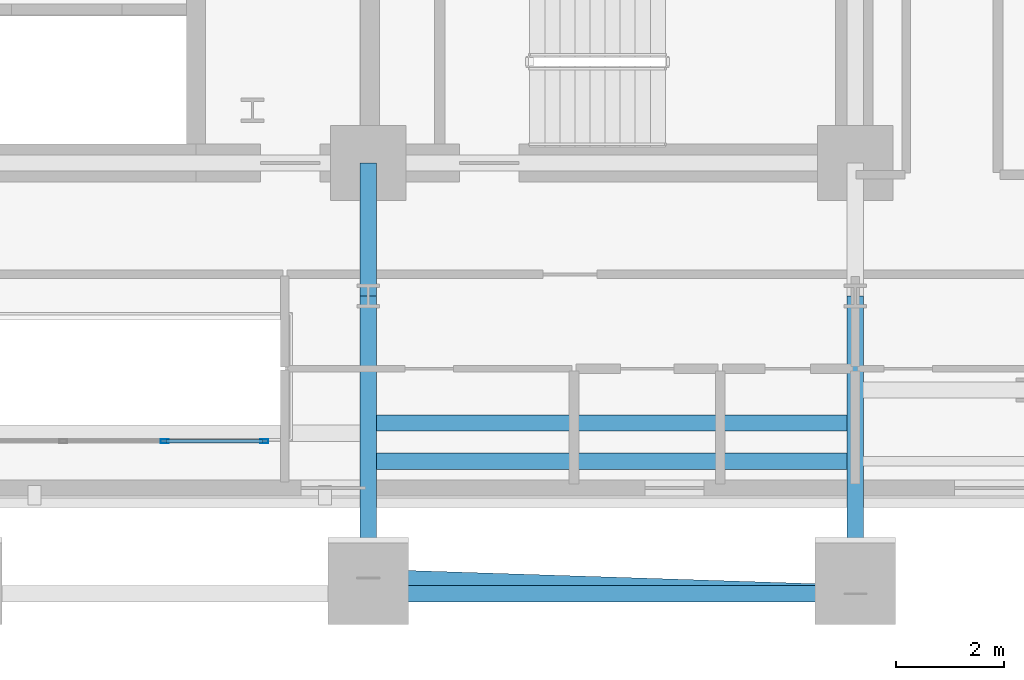
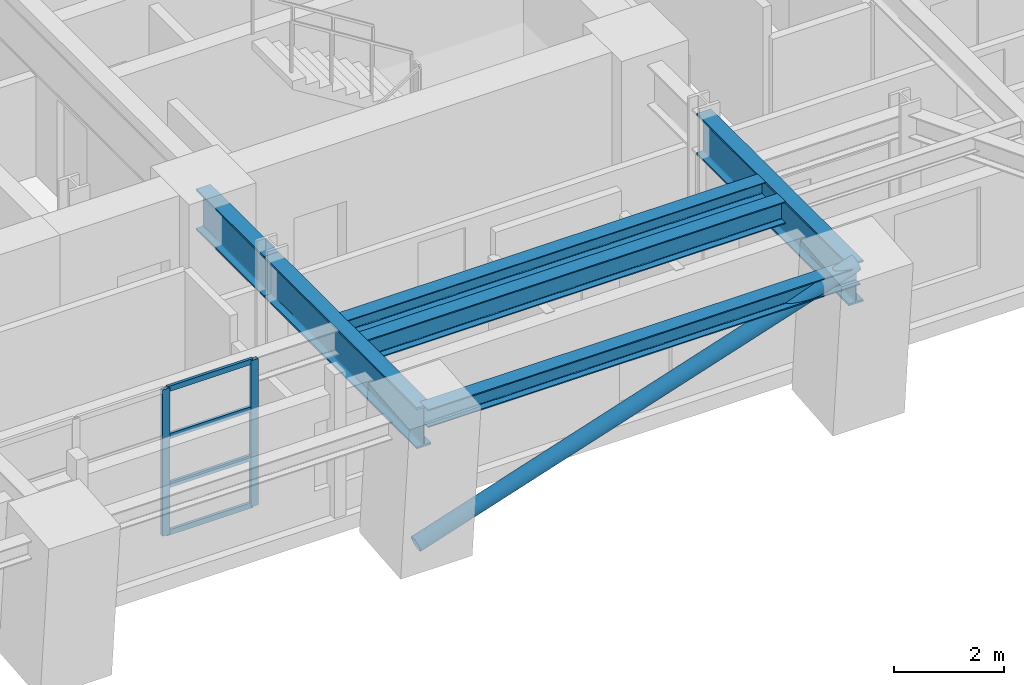
# One storey, part 4 of 15: 7 members, 6 beams, 1 element without a shape of its own.
"""IFC4 building model written with IfcOpenShell, lengths in metres."""

from ifc_helpers import new_model, si_unit, direction, frame, origin, origin_2d, place, context, subcontext, project, spatial, hollow_rectangle, hollow_circle, i_section, extrude, material, layer, layer_set, material_profile, profile_set, type_object, element, aggregate, save


model = new_model("IFC4")

# Units and contexts
model_context = context("Model", 3, precision=1e-05, world=origin(), true_north=direction((0.0, 1.0)))
body_context = subcontext(model_context, "Body", "Model", "MODEL_VIEW")
ifc_project = project(units=[si_unit("LENGTHUNIT", "METRE"), si_unit("AREAUNIT", "SQUARE_METRE"), si_unit("VOLUMEUNIT", "CUBIC_METRE"), si_unit("PLANEANGLEUNIT", "RADIAN"), si_unit("MASSUNIT", "GRAM", prefix="KILO")], contexts=[model_context])

# Site, building, storey
site_placement = place(None, origin())
site = spatial("IfcSite", under=ifc_project, at=site_placement, CompositionType="ELEMENT")
building_placement = place(site_placement, origin())
building = spatial("IfcBuilding", under=site, at=building_placement, Name="Zarnavel Station Tower", CompositionType="ELEMENT")
storey_placement = place(building_placement, frame((0.0, 0.0, 67.5)))
storey = spatial("IfcBuildingStorey", under=building, at=storey_placement, Name="L18", CompositionType="ELEMENT", Elevation=67.5)

# Curtain wall, members
ifc_material_1 = material(Name="Aluminium Dark Anodised and Solar-Control Glass", Category="aluminium")
ifc_layer = layer(ifc_material_1, 0.179931640625)
ifc_layer_set = layer_set([ifc_layer], Name="CWS2")
curtain_wall_type = type_object("IfcCurtainWallType", Name="CWS2", PredefinedType="NOTDEFINED", material=ifc_layer_set)
curtain_wall_placement = place(storey_placement, origin())
curtain_wall = element("IfcCurtainWall", 1, at=curtain_wall_placement, inside=storey, type_object=curtain_wall_type, Name="L18 Curtain Wall CWS2-L18-AS", PredefinedType="NOTDEFINED")
ifc_material_2 = material(Name="Steel S355J2 (Black Fluoropolymer Coated)", Category="steel")
ifc_material_profile_1 = material_profile(ifc_material_2, hollow_rectangle(XDim=0.074951171875, YDim=0.14990234375, WallThickness=0.00634765625, at=origin_2d()), Name="RHS150x75x6.3")
ifc_profile_set_1 = profile_set([ifc_material_profile_1], Name="Steel S355J2 (Black Fluoropolymer Coated)")
member_type_1 = type_object("IfcMemberType", Name="CWS2_MUL", PredefinedType="MULLION", material=ifc_profile_set_1)
member_1_placement = place(storey_placement, frame((32.566650390625, 22.64990234375, 0.0), z_axis=(0.0, 0.0, 1.0), x_axis=(0.0, 1.0, 0.0)))
member_1 = element("IfcMember", 2, at=member_1_placement, type_object=member_type_1, Name="CW2 mullion 6", PredefinedType="MULLION", context=body_context, shape_type="SweptSolid", body=[
    extrude(hollow_rectangle(XDim=0.074951171875, YDim=0.14990234375, WallThickness=0.00634765625, at=origin_2d()), origin(), (0.0, 0.0, 1.0), 3.239990234375),
])
member_2_placement = place(storey_placement, frame((34.419921875, 22.64990234375, 0.0), z_axis=(0.0, 0.0, 1.0), x_axis=(0.0, 1.0, 0.0)))
member_2 = element("IfcMember", 3, at=member_2_placement, type_object=member_type_1, Name="CW2 mullion 7", PredefinedType="MULLION", context=body_context, shape_type="SweptSolid", body=[
    extrude(hollow_rectangle(XDim=0.074951171875, YDim=0.14990234375, WallThickness=0.00634765625, at=origin_2d()), origin(), (0.0, 0.0, 1.0), 3.239990234375),
])
ifc_material_3 = material(Name="Steel S355J2 (Black Fluoropolymer Coated)", Category="steel")
ifc_material_profile_2 = material_profile(ifc_material_3, hollow_rectangle(XDim=0.06005859375, YDim=0.1201171875, WallThickness=0.0048828125, at=origin_2d()), Name="RHS120x60x5")
ifc_profile_set_2 = profile_set([ifc_material_profile_2], Name="Steel S355J2 (Black Fluoropolymer Coated)")
member_type_2 = type_object("IfcMemberType", Name="CWS2_TRN", PredefinedType="USERDEFINED", material=ifc_profile_set_2)
member_3_placement = place(storey_placement, frame((32.5966796875, 22.64990234375, 0.030029296875), z_axis=(1.0, 0.0, 0.0), x_axis=(0.0, 1.0, 0.0)))
member_3 = element("IfcMember", 4, at=member_3_placement, type_object=member_type_2, Name="CW2 transom 6.1", ObjectType="TRANSOM", PredefinedType="USERDEFINED", context=body_context, shape_type="SweptSolid", body=[
    extrude(hollow_rectangle(XDim=0.06005859375, YDim=0.1201171875, WallThickness=0.0048828125, at=origin_2d()), origin(), (0.0, 0.0, 1.0), 1.793212890625),
])
member_4_placement = place(storey_placement, frame((32.5966796875, 22.64990234375, 1.080078125), z_axis=(1.0, 0.0, 0.0), x_axis=(0.0, 1.0, 0.0)))
member_4 = element("IfcMember", 5, at=member_4_placement, type_object=member_type_2, Name="CW2 transom 6.2", ObjectType="TRANSOM", PredefinedType="USERDEFINED", context=body_context, shape_type="SweptSolid", body=[
    extrude(hollow_rectangle(XDim=0.06005859375, YDim=0.1201171875, WallThickness=0.0048828125, at=origin_2d()), origin(), (0.0, 0.0, 1.0), 1.793212890625),
])
member_5_placement = place(storey_placement, frame((32.5966796875, 22.64990234375, 2.159912109375), z_axis=(1.0, 0.0, 0.0), x_axis=(0.0, 1.0, 0.0)))
member_5 = element("IfcMember", 6, at=member_5_placement, type_object=member_type_2, Name="CW2 transom 6.3", ObjectType="TRANSOM", PredefinedType="USERDEFINED", context=body_context, shape_type="SweptSolid", body=[
    extrude(hollow_rectangle(XDim=0.06005859375, YDim=0.1201171875, WallThickness=0.0048828125, at=origin_2d()), origin(), (0.0, 0.0, 1.0), 1.793212890625),
])
member_6_placement = place(storey_placement, frame((32.5966796875, 22.64990234375, 3.2099609375), z_axis=(1.0, 0.0, 0.0), x_axis=(0.0, 1.0, 0.0)))
member_6 = element("IfcMember", 7, at=member_6_placement, type_object=member_type_2, Name="CW2 transom 6.4", ObjectType="TRANSOM", PredefinedType="USERDEFINED", context=body_context, shape_type="SweptSolid", body=[
    extrude(hollow_rectangle(XDim=0.06005859375, YDim=0.1201171875, WallThickness=0.0048828125, at=origin_2d()), origin(), (0.0, 0.0, 1.0), 1.793212890625),
])
aggregate(curtain_wall, [member_1, member_2, member_3, member_4, member_5, member_6])

# Member
ifc_material_4 = material(Name="Steel S355J2", Category="steel")
ifc_material_profile_3 = material_profile(ifc_material_4, hollow_circle(Radius=0.161865234375, WallThickness=0.012451171875, at=origin_2d()), Name="CHS323.9x12.5")
ifc_profile_set_3 = profile_set([ifc_material_profile_3], Name="Steel S355J2")
member_type_3 = type_object("IfcMemberType", Name="DB_EXT_CHS324", PredefinedType="BRACE", material=ifc_profile_set_3)
member_7_placement = place(storey_placement, frame((36.35009765625, 20.111083984375, 0.0), z_axis=(0.94104157458, -0.030540439576, 0.336909537505), x_axis=(0.032436790978, 0.999473788846, 0.0)))
element("IfcMember", 8, at=member_7_placement, inside=storey, type_object=member_type_3, Name="L18 Persian Exterior Diagonal Frame Brace 2", PredefinedType="BRACE", context=body_context, shape_type="SweptSolid", body=[
    extrude(hollow_circle(Radius=0.161865234375, WallThickness=0.012451171875, at=origin_2d()), origin(), (0.0, 0.0, 1.0), 9.61669921875),
])

# Beams
ifc_material_5 = material(Name="Steel S355J2", Category="steel")
ifc_material_profile_4 = material_profile(ifc_material_5, i_section(OverallWidth=0.300048828125, OverallDepth=0.39990234375, WebThickness=0.013427734375, FlangeThickness=0.02392578125, FilletRadius=0.027099609375, at=origin_2d()), Name="HEB400")
ifc_profile_set_4 = profile_set([ifc_material_profile_4], Name="Steel S355J2")
beam_type_1 = type_object("IfcBeamType", Name="EB_HEB400", PredefinedType="SPANDREL", material=ifc_profile_set_4)
beam_1_placement = place(storey_placement, frame((36.35009765625, 19.8173828125, 3.0400390625), z_axis=(1.0, 0.0, 0.0), x_axis=(0.0, 1.0, 0.0)))
element("IfcBeam", 9, at=beam_1_placement, inside=storey, type_object=beam_type_1, Name="L18 South Raked Spandrel 4", PredefinedType="SPANDREL", context=body_context, shape_type="SweptSolid", body=[
    extrude(i_section(OverallWidth=0.300048828125, OverallDepth=0.39990234375, WebThickness=0.013427734375, FlangeThickness=0.02392578125, FilletRadius=0.027099609375, at=origin_2d()), origin(), (0.0, 0.0, 1.0), 9.0498046875),
])
ifc_material_6 = material(Name="Steel S355J2", Category="steel")
ifc_material_profile_5 = material_profile(ifc_material_6, i_section(OverallWidth=0.300048828125, OverallDepth=0.35009765625, WebThickness=0.010009765625, FlangeThickness=0.017578125, FilletRadius=0.027099609375, at=origin_2d()), Name="HEA360")
ifc_profile_set_5 = profile_set([ifc_material_profile_5], Name="Steel S355J2")
beam_type_2 = type_object("IfcBeamType", Name="FB_HEA360", PredefinedType="BEAM", material=ifc_profile_set_5)
beam_2_placement = place(storey_placement, frame((36.4951171875, 22.9892578125, 3.06494140625), z_axis=(1.0, 0.0, 0.0), x_axis=(0.0, 1.0, 0.0)))
element("IfcBeam", 10, at=beam_2_placement, inside=storey, type_object=beam_type_2, Name="L18 East Bay Beam 2", PredefinedType="BEAM", context=body_context, shape_type="SweptSolid", body=[
    extrude(i_section(OverallWidth=0.300048828125, OverallDepth=0.35009765625, WebThickness=0.010009765625, FlangeThickness=0.017578125, FilletRadius=0.027099609375, at=origin_2d()), origin(), (0.0, 0.0, 1.0), 8.759765625),
])
ifc_material_7 = material(Name="Steel S355J2", Category="steel")
ifc_material_profile_6 = material_profile(ifc_material_7, i_section(OverallWidth=0.300048828125, OverallDepth=0.489990234375, WebThickness=0.011962890625, FlangeThickness=0.02294921875, FilletRadius=0.027099609375, at=origin_2d()), Name="HEA500")
ifc_profile_set_6 = profile_set([ifc_material_profile_6], Name="Steel S355J2")
beam_type_3 = type_object("IfcBeamType", Name="FB_HEA500", PredefinedType="BEAM", material=ifc_profile_set_6)
beam_3_placement = place(storey_placement, frame((36.4951171875, 22.2783203125, 2.9951171875), z_axis=(1.0, 0.0, 0.0), x_axis=(0.0, 1.0, 0.0)))
element("IfcBeam", 11, at=beam_3_placement, inside=storey, type_object=beam_type_3, Name="L18 East Bay Beam 1", PredefinedType="BEAM", context=body_context, shape_type="SweptSolid", body=[
    extrude(i_section(OverallWidth=0.300048828125, OverallDepth=0.489990234375, WebThickness=0.011962890625, FlangeThickness=0.02294921875, FilletRadius=0.027099609375, at=origin_2d()), origin(), (0.0, 0.0, 1.0), 8.759765625),
])
ifc_material_8 = material(Name="Steel S460M", Category="steel")
ifc_material_profile_7 = material_profile(ifc_material_8, i_section(OverallWidth=0.302001953125, OverallDepth=0.909912109375, WebThickness=0.02099609375, FlangeThickness=0.0400390625, FilletRadius=0.030029296875, at=origin_2d()), Name="HEM900")
ifc_profile_set_7 = profile_set([ifc_material_profile_7], Name="Steel S460M")
beam_type_4 = type_object("IfcBeamType", Name="TG_HEM900", PredefinedType="USERDEFINED", material=ifc_profile_set_7)
beam_4_placement = place(storey_placement, frame((36.35009765625, 19.8173828125, 2.784912109375), z_axis=(0.0, 1.0, 0.0), x_axis=(-1.0, 0.0, 0.0)))
element("IfcBeam", 12, at=beam_4_placement, inside=storey, type_object=beam_type_4, Name="L18 South-Zone NS Girder 4", ObjectType="GIRDER", PredefinedType="USERDEFINED", context=body_context, shape_type="SweptSolid", body=[
    extrude(i_section(OverallWidth=0.302001953125, OverallDepth=0.909912109375, WebThickness=0.02099609375, FlangeThickness=0.0400390625, FilletRadius=0.030029296875, at=origin_2d()), origin(), (0.0, 0.0, 1.0), 5.53271484375),
])
beam_5_placement = place(storey_placement, frame((36.35009765625, 25.35009765625, 2.784912109375), z_axis=(0.0, 1.0, 0.0), x_axis=(-1.0, 0.0, 0.0)))
element("IfcBeam", 13, at=beam_5_placement, inside=storey, type_object=beam_type_4, Name="L18 Inner-Zone NS Girder 4", ObjectType="GIRDER", PredefinedType="USERDEFINED", context=body_context, shape_type="SweptSolid", body=[
    extrude(i_section(OverallWidth=0.302001953125, OverallDepth=0.909912109375, WebThickness=0.02099609375, FlangeThickness=0.0400390625, FilletRadius=0.030029296875, at=origin_2d()), origin(), (0.0, 0.0, 1.0), 2.469970703125),
])
beam_6_placement = place(storey_placement, frame((45.39990234375, 19.8173828125, 2.784912109375), z_axis=(0.0, 1.0, 0.0), x_axis=(-1.0, 0.0, 0.0)))
element("IfcBeam", 14, at=beam_6_placement, inside=storey, type_object=beam_type_4, Name="L18 South-Zone NS Girder 5", ObjectType="GIRDER", PredefinedType="USERDEFINED", context=body_context, shape_type="SweptSolid", body=[
    extrude(i_section(OverallWidth=0.302001953125, OverallDepth=0.909912109375, WebThickness=0.02099609375, FlangeThickness=0.0400390625, FilletRadius=0.030029296875, at=origin_2d()), origin(), (0.0, 0.0, 1.0), 5.53271484375),
])

save(model, "model.ifc")
